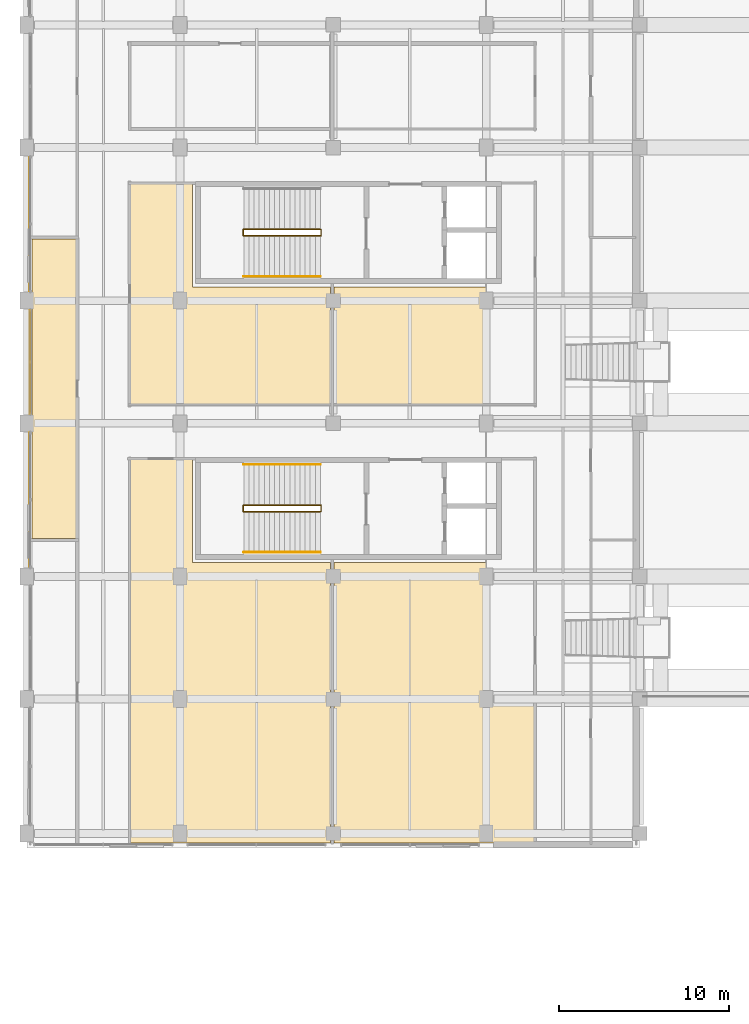
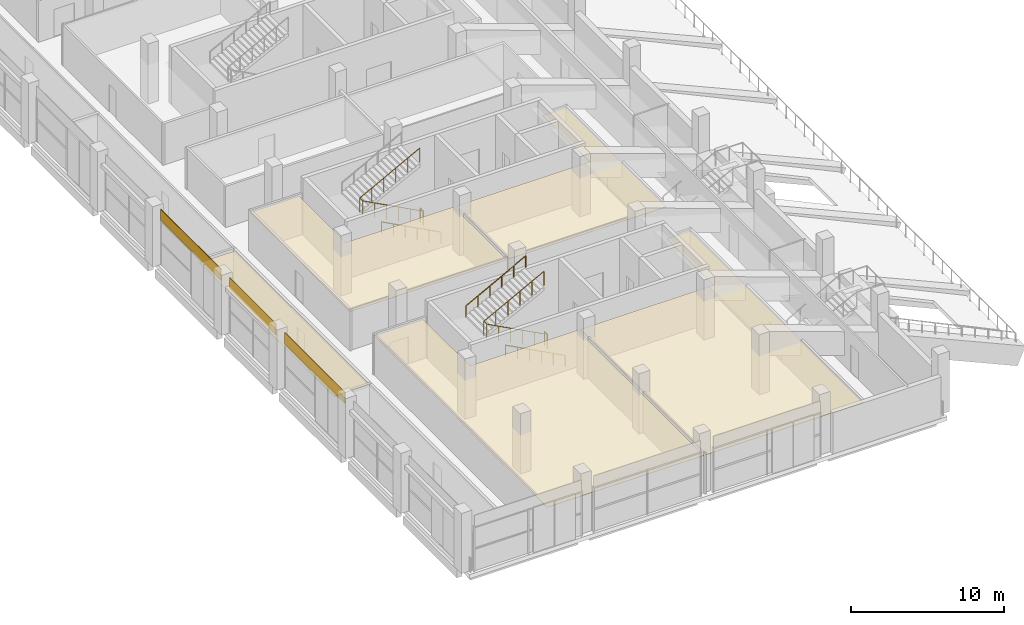
# One storey, part 58 of 66: 8 coverings, 7 railings.
"""IFC4 building model written with IfcOpenShell, lengths in metres."""

from ifc_helpers import new_model, si_unit, direction, frame, origin, origin_2d, place, context, subcontext, project, spatial, polyline, rectangle, circle, outline, extrude, material, layer, layer_set, type_object, element, save


model = new_model("IFC4")

# Units and contexts
model_context = context("Model", 3, precision=1e-05, world=origin(), true_north=direction((0.0, 1.0)))
body_context = subcontext(model_context, "Body", "Model", "MODEL_VIEW")
ifc_project = project(units=[si_unit("LENGTHUNIT", "METRE"), si_unit("AREAUNIT", "SQUARE_METRE"), si_unit("VOLUMEUNIT", "CUBIC_METRE"), si_unit("PLANEANGLEUNIT", "RADIAN"), si_unit("MASSUNIT", "GRAM", prefix="KILO"), si_unit("THERMODYNAMICTEMPERATUREUNIT", "KELVIN"), si_unit("POWERUNIT", "WATT")], contexts=[model_context])

# Site, building, storey
site_placement = place(None, origin())
site = spatial("IfcSite", under=ifc_project, at=site_placement, CompositionType="ELEMENT")
building_placement = place(site_placement, origin())
building = spatial("IfcBuilding", under=site, at=building_placement, Name="Sindhuravela Promenade Stadium", CompositionType="ELEMENT")
storey_placement = place(building_placement, frame((0.0, 0.0, 19.199951171875)))
storey = spatial("IfcBuildingStorey", under=building, at=storey_placement, Name="L04", CompositionType="ELEMENT", Elevation=19.199951171875)

# Coverings
ifc_material_1 = material(Name="Acoustic mineral-fibre ceiling tile", Category="gypsum")
ifc_layer_1 = layer(ifc_material_1, 0.02490234375)
ifc_layer_set_1 = layer_set([ifc_layer_1], Name="Acoustic mineral-fibre ceiling tile")
covering_type_1 = type_object("IfcCoveringType", Name="CV-CEIL-1", PredefinedType="CEILING", material=ifc_layer_set_1)
covering_1_placement = place(storey_placement, frame((0.0, 0.0, 3.050048828125)))
element("IfcCovering", 1, at=covering_1_placement, inside=storey, type_object=covering_type_1, Name="Acoustic ceiling West Upper Concourse Hall", PredefinedType="CEILING", context=body_context, shape_type="SweptSolid", body=[
    extrude(outline(polyline([(6.02001953125, 59.110107421875), (6.02001953125, 59.112060546875), (6.0205078125, 59.114013671875), (6.02099609375, 59.11572265625), (6.021484375, 59.11767578125), (6.0224609375, 59.119384765625), (6.0234375, 59.12109375), (6.0244140625, 59.122802734375), (6.02587890625, 59.1240234375), (6.02734375, 59.12548828125), (6.02880859375, 59.126708984375), (6.030517578125, 59.127685546875), (6.0322265625, 59.12841796875), (6.0341796875, 59.129150390625), (6.0361328125, 59.129638671875), (6.0380859375, 59.1298828125), (6.0400390625, 59.1298828125), (9.699951171875, 59.1298828125), (9.701904296875, 59.1298828125), (9.703857421875, 59.129638671875), (9.705810546875, 59.129150390625), (9.707763671875, 59.12841796875), (9.70947265625, 59.127685546875), (9.711181640625, 59.126708984375), (9.712646484375, 59.12548828125), (9.714111328125, 59.1240234375), (9.715576171875, 59.122802734375), (9.716552734375, 59.12109375), (9.717529296875, 59.119384765625), (9.718505859375, 59.11767578125), (9.718994140625, 59.11572265625), (9.719482421875, 59.114013671875), (9.719970703125, 59.112060546875), (9.719970703125, 59.110107421875), (9.719970703125, 53.02001953125), (17.830078125, 53.02001953125), (17.83203125, 53.02001953125), (17.833984375, 53.01953125), (17.835693359375, 53.01904296875), (17.837646484375, 53.0185546875), (17.83935546875, 53.017578125), (17.841064453125, 53.0166015625), (17.8427734375, 53.015380859375), (17.843994140625, 53.01416015625), (17.845458984375, 53.0126953125), (17.8466796875, 53.010986328125), (17.84765625, 53.009521484375), (17.848388671875, 53.0078125), (17.84912109375, 53.005859375), (17.849609375, 53.00390625), (17.849853515625, 53.001953125), (17.85009765625, 53.0), (17.85009765625, 36.570068359375), (17.849853515625, 36.568115234375), (17.849609375, 36.566162109375), (17.84912109375, 36.564208984375), (17.848388671875, 36.562255859375), (17.84765625, 36.560546875), (17.8466796875, 36.558837890625), (17.845458984375, 36.557373046875), (17.843994140625, 36.555908203125), (17.8427734375, 36.554443359375), (17.841064453125, 36.553466796875), (17.83935546875, 36.552490234375), (17.837646484375, 36.551513671875), (17.835693359375, 36.55078125), (17.833984375, 36.55029296875), (17.83203125, 36.550048828125), (17.830078125, 36.550048828125), (6.0400390625, 36.550048828125), (6.0380859375, 36.550048828125), (6.0361328125, 36.55029296875), (6.0341796875, 36.55078125), (6.0322265625, 36.551513671875), (6.030517578125, 36.552490234375), (6.02880859375, 36.553466796875), (6.02734375, 36.554443359375), (6.02587890625, 36.555908203125), (6.0244140625, 36.557373046875), (6.0234375, 36.558837890625), (6.0224609375, 36.560546875), (6.021484375, 36.562255859375), (6.02099609375, 36.564208984375), (6.0205078125, 36.566162109375), (6.02001953125, 36.568115234375), (6.02001953125, 36.570068359375), (6.02001953125, 59.110107421875)])), origin(), (0.0, 0.0, 1.0), 0.02490234375),
])
covering_2_placement = place(storey_placement, frame((0.0, 0.0, 3.050048828125)))
element("IfcCovering", 2, at=covering_2_placement, inside=storey, type_object=covering_type_1, Name="Acoustic ceiling Upper Concourse Food Kiosk W4", PredefinedType="CEILING", context=body_context, shape_type="SweptSolid", body=[
    extrude(outline(polyline([(28.080078125, 53.02001953125), (28.080078125, 59.110107421875), (28.080078125, 59.112060546875), (28.080322265625, 59.114013671875), (28.080810546875, 59.11572265625), (28.08154296875, 59.11767578125), (28.08251953125, 59.119384765625), (28.08349609375, 59.12109375), (28.08447265625, 59.122802734375), (28.0859375, 59.1240234375), (28.08740234375, 59.12548828125), (28.0888671875, 59.126708984375), (28.090576171875, 59.127685546875), (28.09228515625, 59.12841796875), (28.09423828125, 59.129150390625), (28.09619140625, 59.129638671875), (28.097900390625, 59.1298828125), (28.10009765625, 59.1298828125), (29.860107421875, 59.1298828125), (29.862060546875, 59.1298828125), (29.864013671875, 59.129638671875), (29.86572265625, 59.129150390625), (29.86767578125, 59.12841796875), (29.869384765625, 59.127685546875), (29.87109375, 59.126708984375), (29.872802734375, 59.12548828125), (29.8740234375, 59.1240234375), (29.87548828125, 59.122802734375), (29.876708984375, 59.12109375), (29.877685546875, 59.119384765625), (29.87841796875, 59.11767578125), (29.879150390625, 59.11572265625), (29.879638671875, 59.114013671875), (29.8798828125, 59.112060546875), (29.8798828125, 59.110107421875), (29.8798828125, 36.570068359375), (29.8798828125, 36.568115234375), (29.879638671875, 36.566162109375), (29.879150390625, 36.564208984375), (29.87841796875, 36.562255859375), (29.877685546875, 36.560546875), (29.876708984375, 36.558837890625), (29.87548828125, 36.557373046875), (29.8740234375, 36.555908203125), (29.872802734375, 36.554443359375), (29.87109375, 36.553466796875), (29.869384765625, 36.552490234375), (29.86767578125, 36.551513671875), (29.86572265625, 36.55078125), (29.864013671875, 36.55029296875), (29.862060546875, 36.550048828125), (29.860107421875, 36.550048828125), (18.070068359375, 36.550048828125), (18.068115234375, 36.550048828125), (18.066162109375, 36.55029296875), (18.064208984375, 36.55078125), (18.062255859375, 36.551513671875), (18.060546875, 36.552490234375), (18.058837890625, 36.553466796875), (18.057373046875, 36.554443359375), (18.055908203125, 36.555908203125), (18.054443359375, 36.557373046875), (18.053466796875, 36.558837890625), (18.052490234375, 36.560546875), (18.051513671875, 36.562255859375), (18.05078125, 36.564208984375), (18.05029296875, 36.566162109375), (18.050048828125, 36.568115234375), (18.050048828125, 36.570068359375), (18.050048828125, 53.0), (18.050048828125, 53.001953125), (18.05029296875, 53.00390625), (18.05078125, 53.005859375), (18.051513671875, 53.0078125), (18.052490234375, 53.009521484375), (18.053466796875, 53.010986328125), (18.054443359375, 53.0126953125), (18.055908203125, 53.01416015625), (18.057373046875, 53.015380859375), (18.058837890625, 53.0166015625), (18.060546875, 53.017578125), (18.062255859375, 53.0185546875), (18.064208984375, 53.01904296875), (18.066162109375, 53.01953125), (18.068115234375, 53.02001953125), (18.070068359375, 53.02001953125), (28.080078125, 53.02001953125)])), origin(), (0.0, 0.0, 1.0), 0.02490234375),
])
covering_3_placement = place(storey_placement, frame((0.0, 0.0, 3.050048828125)))
element("IfcCovering", 3, at=covering_3_placement, inside=storey, type_object=covering_type_1, Name="Acoustic ceiling Supporter Welfare Room West", PredefinedType="CEILING", context=body_context, shape_type="SweptSolid", body=[
    extrude(outline(polyline([(6.0400390625, 62.27001953125), (6.0380859375, 62.27001953125), (6.0361328125, 62.2705078125), (6.0341796875, 62.27099609375), (6.0322265625, 62.271484375), (6.030517578125, 62.2724609375), (6.02880859375, 62.2734375), (6.02734375, 62.2744140625), (6.02587890625, 62.27587890625), (6.0244140625, 62.27734375), (6.0234375, 62.27880859375), (6.0224609375, 62.280517578125), (6.021484375, 62.2822265625), (6.02099609375, 62.2841796875), (6.0205078125, 62.2861328125), (6.02001953125, 62.2880859375), (6.02001953125, 62.2900390625), (6.02001953125, 75.31005859375), (6.02001953125, 75.31201171875), (6.0205078125, 75.31396484375), (6.02099609375, 75.31591796875), (6.021484375, 75.317626953125), (6.0224609375, 75.3193359375), (6.0234375, 75.321044921875), (6.0244140625, 75.32275390625), (6.02587890625, 75.32421875), (6.02734375, 75.325439453125), (6.02880859375, 75.32666015625), (6.030517578125, 75.32763671875), (6.0322265625, 75.32861328125), (6.0341796875, 75.3291015625), (6.0361328125, 75.32958984375), (6.0380859375, 75.329833984375), (6.0400390625, 75.330078125), (9.699951171875, 75.330078125), (9.701904296875, 75.329833984375), (9.703857421875, 75.32958984375), (9.705810546875, 75.3291015625), (9.707763671875, 75.32861328125), (9.70947265625, 75.32763671875), (9.711181640625, 75.32666015625), (9.712646484375, 75.325439453125), (9.714111328125, 75.32421875), (9.715576171875, 75.32275390625), (9.716552734375, 75.321044921875), (9.717529296875, 75.3193359375), (9.718505859375, 75.317626953125), (9.718994140625, 75.31591796875), (9.719482421875, 75.31396484375), (9.719970703125, 75.31201171875), (9.719970703125, 75.31005859375), (9.719970703125, 69.219970703125), (17.830078125, 69.219970703125), (17.83203125, 69.219970703125), (17.833984375, 69.219482421875), (17.835693359375, 69.218994140625), (17.837646484375, 69.218505859375), (17.83935546875, 69.217529296875), (17.841064453125, 69.216552734375), (17.8427734375, 69.215576171875), (17.843994140625, 69.214111328125), (17.845458984375, 69.212646484375), (17.8466796875, 69.211181640625), (17.84765625, 69.20947265625), (17.848388671875, 69.207763671875), (17.84912109375, 69.205810546875), (17.849609375, 69.203857421875), (17.849853515625, 69.201904296875), (17.85009765625, 69.199951171875), (17.85009765625, 62.2900390625), (17.849853515625, 62.2880859375), (17.849609375, 62.2861328125), (17.84912109375, 62.2841796875), (17.848388671875, 62.2822265625), (17.84765625, 62.280517578125), (17.8466796875, 62.27880859375), (17.845458984375, 62.27734375), (17.843994140625, 62.27587890625), (17.8427734375, 62.2744140625), (17.841064453125, 62.2734375), (17.83935546875, 62.2724609375), (17.837646484375, 62.271484375), (17.835693359375, 62.27099609375), (17.833984375, 62.2705078125), (17.83203125, 62.27001953125), (17.830078125, 62.27001953125), (6.0400390625, 62.27001953125)])), origin(), (0.0, 0.0, 1.0), 0.02490234375),
])
covering_4_placement = place(storey_placement, frame((0.0, 0.0, 3.050048828125)))
element("IfcCovering", 4, at=covering_4_placement, inside=storey, type_object=covering_type_1, Name="Acoustic ceiling Public Toilet Block West L04", PredefinedType="CEILING", context=body_context, shape_type="SweptSolid", body=[
    extrude(outline(polyline([(28.080078125, 75.31005859375), (28.080078125, 75.31201171875), (28.080322265625, 75.31396484375), (28.080810546875, 75.31591796875), (28.08154296875, 75.317626953125), (28.08251953125, 75.3193359375), (28.08349609375, 75.321044921875), (28.08447265625, 75.32275390625), (28.0859375, 75.32421875), (28.08740234375, 75.325439453125), (28.0888671875, 75.32666015625), (28.090576171875, 75.32763671875), (28.09228515625, 75.32861328125), (28.09423828125, 75.3291015625), (28.09619140625, 75.32958984375), (28.097900390625, 75.329833984375), (28.10009765625, 75.330078125), (29.860107421875, 75.330078125), (29.862060546875, 75.329833984375), (29.864013671875, 75.32958984375), (29.86572265625, 75.3291015625), (29.86767578125, 75.32861328125), (29.869384765625, 75.32763671875), (29.87109375, 75.32666015625), (29.872802734375, 75.325439453125), (29.8740234375, 75.32421875), (29.87548828125, 75.32275390625), (29.876708984375, 75.321044921875), (29.877685546875, 75.3193359375), (29.87841796875, 75.317626953125), (29.879150390625, 75.31591796875), (29.879638671875, 75.31396484375), (29.8798828125, 75.31201171875), (29.8798828125, 75.31005859375), (29.8798828125, 62.2900390625), (29.8798828125, 62.2880859375), (29.879638671875, 62.2861328125), (29.879150390625, 62.2841796875), (29.87841796875, 62.2822265625), (29.877685546875, 62.280517578125), (29.876708984375, 62.27880859375), (29.87548828125, 62.27734375), (29.8740234375, 62.27587890625), (29.872802734375, 62.2744140625), (29.87109375, 62.2734375), (29.869384765625, 62.2724609375), (29.86767578125, 62.271484375), (29.86572265625, 62.27099609375), (29.864013671875, 62.2705078125), (29.862060546875, 62.27001953125), (29.860107421875, 62.27001953125), (18.070068359375, 62.27001953125), (18.068115234375, 62.27001953125), (18.066162109375, 62.2705078125), (18.064208984375, 62.27099609375), (18.062255859375, 62.271484375), (18.060546875, 62.2724609375), (18.058837890625, 62.2734375), (18.057373046875, 62.2744140625), (18.055908203125, 62.27587890625), (18.054443359375, 62.27734375), (18.053466796875, 62.27880859375), (18.052490234375, 62.280517578125), (18.051513671875, 62.2822265625), (18.05078125, 62.2841796875), (18.05029296875, 62.2861328125), (18.050048828125, 62.2880859375), (18.050048828125, 62.2900390625), (18.050048828125, 69.199951171875), (18.050048828125, 69.201904296875), (18.05029296875, 69.203857421875), (18.05078125, 69.205810546875), (18.051513671875, 69.207763671875), (18.052490234375, 69.20947265625), (18.053466796875, 69.211181640625), (18.054443359375, 69.212646484375), (18.055908203125, 69.214111328125), (18.057373046875, 69.215576171875), (18.058837890625, 69.216552734375), (18.060546875, 69.217529296875), (18.062255859375, 69.218505859375), (18.064208984375, 69.218994140625), (18.066162109375, 69.219482421875), (18.068115234375, 69.219970703125), (18.070068359375, 69.219970703125), (28.080078125, 69.219970703125), (28.080078125, 75.31005859375)])), origin(), (0.0, 0.0, 1.0), 0.02490234375),
])
covering_5_placement = place(storey_placement, frame((0.0, 0.0, 3.050048828125)))
element("IfcCovering", 5, at=covering_5_placement, inside=storey, type_object=covering_type_1, Name="Acoustic ceiling Accessible WC West L04 7", PredefinedType="CEILING", context=body_context, shape_type="SweptSolid", body=[
    extrude(outline(polyline([(2.97998046875, 54.4619140625), (2.97998046875, 54.4599609375), (2.9794921875, 54.4580078125), (2.97900390625, 54.456298828125), (2.978515625, 54.454345703125), (2.9775390625, 54.45263671875), (2.9765625, 54.450927734375), (2.9755859375, 54.44921875), (2.97412109375, 54.447998046875), (2.97265625, 54.446533203125), (2.97119140625, 54.4453125), (2.969482421875, 54.4443359375), (2.9677734375, 54.443603515625), (2.9658203125, 54.44287109375), (2.9638671875, 54.4423828125), (2.9619140625, 54.442138671875), (2.9599609375, 54.44189453125), (0.320068359375, 54.44189453125), (0.318115234375, 54.442138671875), (0.316162109375, 54.4423828125), (0.314208984375, 54.44287109375), (0.312255859375, 54.443603515625), (0.310546875, 54.4443359375), (0.308837890625, 54.4453125), (0.307373046875, 54.446533203125), (0.305908203125, 54.447998046875), (0.304443359375, 54.44921875), (0.303466796875, 54.450927734375), (0.302490234375, 54.45263671875), (0.301513671875, 54.454345703125), (0.30078125, 54.456298828125), (0.30029296875, 54.4580078125), (0.300048828125, 54.4599609375), (0.300048828125, 54.4619140625), (0.300048828125, 71.993896484375), (0.300048828125, 71.99609375), (0.30029296875, 71.997802734375), (0.30078125, 71.999755859375), (0.301513671875, 72.001708984375), (0.302490234375, 72.00341796875), (0.303466796875, 72.005126953125), (0.304443359375, 72.006591796875), (0.305908203125, 72.008056640625), (0.307373046875, 72.009521484375), (0.308837890625, 72.010498046875), (0.310546875, 72.01171875), (0.312255859375, 72.012451171875), (0.314208984375, 72.01318359375), (0.316162109375, 72.013671875), (0.318115234375, 72.013916015625), (0.320068359375, 72.013916015625), (2.9599609375, 72.013916015625), (2.9619140625, 72.013916015625), (2.9638671875, 72.013671875), (2.9658203125, 72.01318359375), (2.9677734375, 72.012451171875), (2.969482421875, 72.01171875), (2.97119140625, 72.010498046875), (2.97265625, 72.009521484375), (2.97412109375, 72.008056640625), (2.9755859375, 72.006591796875), (2.9765625, 72.005126953125), (2.9775390625, 72.00341796875), (2.978515625, 72.001708984375), (2.97900390625, 71.999755859375), (2.9794921875, 71.997802734375), (2.97998046875, 71.99609375), (2.97998046875, 71.993896484375), (2.97998046875, 54.4619140625)])), origin(), (0.0, 0.0, 1.0), 0.02490234375),
])
ifc_material_2 = material(Name="Polychrome trencadis ceramic mosaic", Category="masonry")
ifc_layer_2 = layer(ifc_material_2, 0.034912109375)
ifc_layer_set_2 = layer_set([ifc_layer_2], Name="Polychrome trencadis ceramic mosaic")
covering_type_2 = type_object("IfcCoveringType", Name="CV-TRENC-1", PredefinedType="CLADDING", material=ifc_layer_set_2)
covering_6_placement = place(storey_placement, frame((0.179931640625, 64.800048828125, 3.55517578125), z_axis=(0.0, 0.0, 1.0), x_axis=(0.0, 1.0, 0.0)))
element("IfcCovering", 6, at=covering_6_placement, inside=storey, type_object=covering_type_2, Name="Trencadis ceramic mosaic spandrel frieze WEST L04-104", PredefinedType="CLADDING", context=body_context, shape_type="SweptSolid", body=[
    extrude(rectangle(XDim=6.070068359375, YDim=0.034912109375, at=origin_2d()), origin(), (0.0, 0.0, 1.0), 0.905029296875),
])
ifc_layer_3 = layer(ifc_material_2, 0.050048828125)
ifc_layer_set_3 = layer_set([ifc_layer_3], Name="Polychrome trencadis ceramic mosaic")
covering_type_3 = type_object("IfcCoveringType", Name="CV-TRENC-2", PredefinedType="CLADDING", material=ifc_layer_set_3)
for number, where, z_axis, x_axis, name in (
    (7, (0.179931640625, 56.699951171875, 3.55517578125), (0.0, 0.0, 1.0), (0.0, 1.0, 0.0), "Trencadis ceramic mosaic spandrel frieze WEST L04-103"),
    (8, (0.179931640625, 72.89990234375, 3.55517578125), (0.0, 0.0, 1.0), (0.0, 1.0, 0.0), "Trencadis ceramic mosaic spandrel frieze WEST L04-105"),
):
    element("IfcCovering", number, at=place(storey_placement, frame(where, z_axis=z_axis, x_axis=x_axis)), inside=storey, type_object=covering_type_3, Name=name, PredefinedType="CLADDING", context=body_context, shape_type="SweptSolid", body=[
        extrude(rectangle(XDim=7.8701171875, YDim=0.050048828125, at=origin_2d()), origin(), (0.0, 0.0, 1.0), 0.905029296875),
    ])

# Railings
ifc_material_3 = material(Name="Architectural wrought steel E350", Category="steel")
railing_type_1 = type_object("IfcRailingType", Name="RL-GRD-1150", PredefinedType="GUARDRAIL", material=ifc_material_3)
railing_1_placement = place(storey_placement, frame((17.25, 56.010009765625, 0.0)))
element("IfcRailing", 9, at=railing_1_placement, inside=storey, type_object=railing_type_1, Name="Stair ST01 inner well guard (L04)", PredefinedType="GUARDRAIL", context=body_context, shape_type="SweptSolid", body=[
    extrude(circle(Radius=0.02392578125, at=origin_2d()), frame((0.0, 0.0, 1.1259765625), z_axis=(-0.8836349624059475, 0.0, 0.46817651928929505), x_axis=(0.0, -1.0, 0.0)), (0.0, 0.0, 1.0), 5.12646484375),
    extrude(circle(Radius=0.02392578125, at=origin_2d()), frame((-4.530029296875, 0.0, 3.52587890625), z_axis=(0.0, 1.0, 0.0), x_axis=(-1.0, 0.0, 0.0)), (0.0, 0.0, 1.0), 0.3798828125),
    extrude(circle(Radius=0.02392578125, at=origin_2d()), frame((-4.530029296875, 0.3798828125, 3.52587890625), z_axis=(0.8836546633431795, 0.0, 0.46813933390802775), x_axis=(0.0, 1.0, 0.0)), (0.0, 0.0, 1.0), 5.12646484375),
    extrude(circle(Radius=0.02099609375, at=origin_2d()), origin(), (0.0, 0.0, 1.0), 1.101806640625),
    extrude(circle(Radius=0.02099609375, at=origin_2d()), frame((-0.906005859375, 0.0, 0.47998046875)), (0.0, 0.0, 1.0), 1.101806640625),
    extrude(circle(Radius=0.02099609375, at=origin_2d()), frame((-1.81201171875, 0.0, 0.9599609375)), (0.0, 0.0, 1.0), 1.101806640625),
    extrude(circle(Radius=0.02099609375, at=origin_2d()), frame((-2.718017578125, 0.0, 1.440185546875)), (0.0, 0.0, 1.0), 1.101806640625),
    extrude(circle(Radius=0.02099609375, at=origin_2d()), frame((-3.6240234375, 0.0, 1.920166015625)), (0.0, 0.0, 1.0), 1.101806640625),
    extrude(circle(Radius=0.02099609375, at=origin_2d()), frame((-4.530029296875, 0.0, 2.400146484375)), (0.0, 0.0, 1.0), 1.101806640625),
    extrude(circle(Radius=0.02099609375, at=origin_2d()), frame((-4.530029296875, 0.3798828125, 2.400146484375)), (0.0, 0.0, 1.0), 1.101806640625),
    extrude(circle(Radius=0.02099609375, at=origin_2d()), frame((-3.6240234375, 0.3798828125, 2.880126953125)), (0.0, 0.0, 1.0), 1.101806640625),
    extrude(circle(Radius=0.02099609375, at=origin_2d()), frame((-2.718017578125, 0.3798828125, 3.360107421875)), (0.0, 0.0, 1.0), 1.101806640625),
    extrude(circle(Radius=0.02099609375, at=origin_2d()), frame((-1.81201171875, 0.3798828125, 3.840087890625)), (0.0, 0.0, 1.0), 1.101806640625),
    extrude(circle(Radius=0.02099609375, at=origin_2d()), frame((-0.906005859375, 0.3798828125, 4.320068359375)), (0.0, 0.0, 1.0), 1.101806640625),
    extrude(circle(Radius=0.02099609375, at=origin_2d()), frame((0.0, 0.3798828125, 4.800048828125)), (0.0, 0.0, 1.0), 1.101806640625),
])
railing_2_placement = place(storey_placement, frame((17.280029296875, 56.010009765625, 0.0)))
element("IfcRailing", 10, at=railing_2_placement, inside=storey, type_object=railing_type_1, Name="Stair ST01 landing well slot guard (L04)", PredefinedType="GUARDRAIL", context=body_context, shape_type="SweptSolid", body=[
    extrude(circle(Radius=0.02392578125, at=origin_2d()), frame((0.0, 0.0, 1.1259765625), z_axis=(0.0, 1.0, 0.0), x_axis=(-1.0, 0.0, 0.0)), (0.0, 0.0, 1.0), 0.3798828125),
    extrude(circle(Radius=0.02099609375, at=origin_2d()), origin(), (0.0, 0.0, 1.0), 1.101806640625),
    extrude(circle(Radius=0.02099609375, at=origin_2d()), frame((0.0, 0.3798828125, 0.0)), (0.0, 0.0, 1.0), 1.101806640625),
])
railing_3_placement = place(storey_placement, frame((17.25, 72.2099609375, 0.0)))
element("IfcRailing", 11, at=railing_3_placement, inside=storey, type_object=railing_type_1, Name="Stair ST02 inner well guard (L04)", PredefinedType="GUARDRAIL", context=body_context, shape_type="SweptSolid", body=[
    extrude(circle(Radius=0.02392578125, at=origin_2d()), frame((0.0, 0.0, 1.1259765625), z_axis=(-0.8836349624059475, 0.0, 0.46817651928929505), x_axis=(0.0, -1.0, 0.0)), (0.0, 0.0, 1.0), 5.12646484375),
    extrude(circle(Radius=0.02392578125, at=origin_2d()), frame((-4.530029296875, 0.0, 3.52587890625), z_axis=(0.0, 1.0, 0.0), x_axis=(-1.0, 0.0, 0.0)), (0.0, 0.0, 1.0), 0.380126953125),
    extrude(circle(Radius=0.02392578125, at=origin_2d()), frame((-4.530029296875, 0.380126953125, 3.52587890625), z_axis=(0.8836546633431795, 0.0, 0.46813933390802775), x_axis=(0.0, 1.0, 0.0)), (0.0, 0.0, 1.0), 5.12646484375),
    extrude(circle(Radius=0.02099609375, at=origin_2d()), origin(), (0.0, 0.0, 1.0), 1.101806640625),
    extrude(circle(Radius=0.02099609375, at=origin_2d()), frame((-0.906005859375, 0.0, 0.47998046875)), (0.0, 0.0, 1.0), 1.101806640625),
    extrude(circle(Radius=0.02099609375, at=origin_2d()), frame((-1.81201171875, 0.0, 0.9599609375)), (0.0, 0.0, 1.0), 1.101806640625),
    extrude(circle(Radius=0.02099609375, at=origin_2d()), frame((-2.718017578125, 0.0, 1.440185546875)), (0.0, 0.0, 1.0), 1.101806640625),
    extrude(circle(Radius=0.02099609375, at=origin_2d()), frame((-3.6240234375, 0.0, 1.920166015625)), (0.0, 0.0, 1.0), 1.101806640625),
    extrude(circle(Radius=0.02099609375, at=origin_2d()), frame((-4.530029296875, 0.0, 2.400146484375)), (0.0, 0.0, 1.0), 1.101806640625),
    extrude(circle(Radius=0.02099609375, at=origin_2d()), frame((-4.530029296875, 0.380126953125, 2.400146484375)), (0.0, 0.0, 1.0), 1.101806640625),
    extrude(circle(Radius=0.02099609375, at=origin_2d()), frame((-3.6240234375, 0.380126953125, 2.880126953125)), (0.0, 0.0, 1.0), 1.101806640625),
    extrude(circle(Radius=0.02099609375, at=origin_2d()), frame((-2.718017578125, 0.380126953125, 3.360107421875)), (0.0, 0.0, 1.0), 1.101806640625),
    extrude(circle(Radius=0.02099609375, at=origin_2d()), frame((-1.81201171875, 0.380126953125, 3.840087890625)), (0.0, 0.0, 1.0), 1.101806640625),
    extrude(circle(Radius=0.02099609375, at=origin_2d()), frame((-0.906005859375, 0.380126953125, 4.320068359375)), (0.0, 0.0, 1.0), 1.101806640625),
    extrude(circle(Radius=0.02099609375, at=origin_2d()), frame((0.0, 0.380126953125, 4.800048828125)), (0.0, 0.0, 1.0), 1.101806640625),
])
railing_4_placement = place(storey_placement, frame((17.280029296875, 72.2099609375, 0.0)))
element("IfcRailing", 12, at=railing_4_placement, inside=storey, type_object=railing_type_1, Name="Stair ST02 landing well slot guard (L04)", PredefinedType="GUARDRAIL", context=body_context, shape_type="SweptSolid", body=[
    extrude(circle(Radius=0.02392578125, at=origin_2d()), frame((0.0, 0.0, 1.1259765625), z_axis=(0.0, 1.0, 0.0), x_axis=(-1.0, 0.0, 0.0)), (0.0, 0.0, 1.0), 0.380126953125),
    extrude(circle(Radius=0.02099609375, at=origin_2d()), origin(), (0.0, 0.0, 1.0), 1.101806640625),
    extrude(circle(Radius=0.02099609375, at=origin_2d()), frame((0.0, 0.380126953125, 0.0)), (0.0, 0.0, 1.0), 1.101806640625),
])
railing_type_2 = type_object("IfcRailingType", Name="RL-HND-920", PredefinedType="HANDRAIL", material=ifc_material_3)
railing_5_placement = place(storey_placement, frame((17.25, 53.6201171875, 0.0)))
element("IfcRailing", 13, at=railing_5_placement, inside=storey, type_object=railing_type_2, Name="Stair ST01 lower wall handrail (L04)", PredefinedType="HANDRAIL", context=body_context, shape_type="SweptSolid", body=[
    extrude(circle(Radius=0.02392578125, at=origin_2d()), frame((0.0, 0.0, 0.89599609375), z_axis=(-0.8823410147872734, 0.0, 0.47061059659145427), x_axis=(0.0, -1.0, 0.0)), (0.0, 0.0, 1.0), 5.10009765625),
    extrude(circle(Radius=0.02099609375, at=origin_2d()), origin(), (0.0, 0.0, 1.0), 0.871826171875),
    extrude(circle(Radius=0.02099609375, at=origin_2d()), frame((-0.89990234375, 0.0, 0.47998046875)), (0.0, 0.0, 1.0), 0.871826171875),
    extrude(circle(Radius=0.02099609375, at=origin_2d()), frame((-1.800048828125, 0.0, 0.9599609375)), (0.0, 0.0, 1.0), 0.871826171875),
    extrude(circle(Radius=0.02099609375, at=origin_2d()), frame((-2.699951171875, 0.0, 1.440185546875)), (0.0, 0.0, 1.0), 0.871826171875),
    extrude(circle(Radius=0.02099609375, at=origin_2d()), frame((-3.60009765625, 0.0, 1.920166015625)), (0.0, 0.0, 1.0), 0.871826171875),
    extrude(circle(Radius=0.02099609375, at=origin_2d()), frame((-4.5, 0.0, 2.400146484375)), (0.0, 0.0, 1.0), 0.871826171875),
])
railing_6_placement = place(storey_placement, frame((12.75, 58.780029296875, 2.400146484375)))
element("IfcRailing", 14, at=railing_6_placement, inside=storey, type_object=railing_type_2, Name="Stair ST01 upper wall handrail (L04)", PredefinedType="HANDRAIL", context=body_context, shape_type="SweptSolid", body=[
    extrude(circle(Radius=0.02392578125, at=origin_2d()), frame((0.0, 0.0, 0.89599609375), z_axis=(0.8823608919668723, 0.0, 0.4705733272588083), x_axis=(0.0, 1.0, 0.0)), (0.0, 0.0, 1.0), 5.099853515625),
    extrude(circle(Radius=0.02099609375, at=origin_2d()), origin(), (0.0, 0.0, 1.0), 0.871826171875),
    extrude(circle(Radius=0.02099609375, at=origin_2d()), frame((0.89990234375, 0.0, 0.47998046875)), (0.0, 0.0, 1.0), 0.871826171875),
    extrude(circle(Radius=0.02099609375, at=origin_2d()), frame((1.800048828125, 0.0, 0.9599609375)), (0.0, 0.0, 1.0), 0.871826171875),
    extrude(circle(Radius=0.02099609375, at=origin_2d()), frame((2.699951171875, 0.0, 1.43994140625)), (0.0, 0.0, 1.0), 0.871826171875),
    extrude(circle(Radius=0.02099609375, at=origin_2d()), frame((3.60009765625, 0.0, 1.919921875)), (0.0, 0.0, 1.0), 0.871826171875),
    extrude(circle(Radius=0.02099609375, at=origin_2d()), frame((4.5, 0.0, 2.39990234375)), (0.0, 0.0, 1.0), 0.871826171875),
])
railing_7_placement = place(storey_placement, frame((17.25, 69.820068359375, 0.0)))
element("IfcRailing", 15, at=railing_7_placement, inside=storey, type_object=railing_type_2, Name="Stair ST02 lower wall handrail (L04)", PredefinedType="HANDRAIL", context=body_context, shape_type="SweptSolid", body=[
    extrude(circle(Radius=0.02392578125, at=origin_2d()), frame((0.0, 0.0, 0.89599609375), z_axis=(-0.8823410147872734, 0.0, 0.47061059659145427), x_axis=(0.0, -1.0, 0.0)), (0.0, 0.0, 1.0), 5.10009765625),
    extrude(circle(Radius=0.02099609375, at=origin_2d()), origin(), (0.0, 0.0, 1.0), 0.871826171875),
    extrude(circle(Radius=0.02099609375, at=origin_2d()), frame((-0.89990234375, 0.0, 0.47998046875)), (0.0, 0.0, 1.0), 0.871826171875),
    extrude(circle(Radius=0.02099609375, at=origin_2d()), frame((-1.800048828125, 0.0, 0.9599609375)), (0.0, 0.0, 1.0), 0.871826171875),
    extrude(circle(Radius=0.02099609375, at=origin_2d()), frame((-2.699951171875, 0.0, 1.440185546875)), (0.0, 0.0, 1.0), 0.871826171875),
    extrude(circle(Radius=0.02099609375, at=origin_2d()), frame((-3.60009765625, 0.0, 1.920166015625)), (0.0, 0.0, 1.0), 0.871826171875),
    extrude(circle(Radius=0.02099609375, at=origin_2d()), frame((-4.5, 0.0, 2.400146484375)), (0.0, 0.0, 1.0), 0.871826171875),
])

save(model, "model.ifc")
